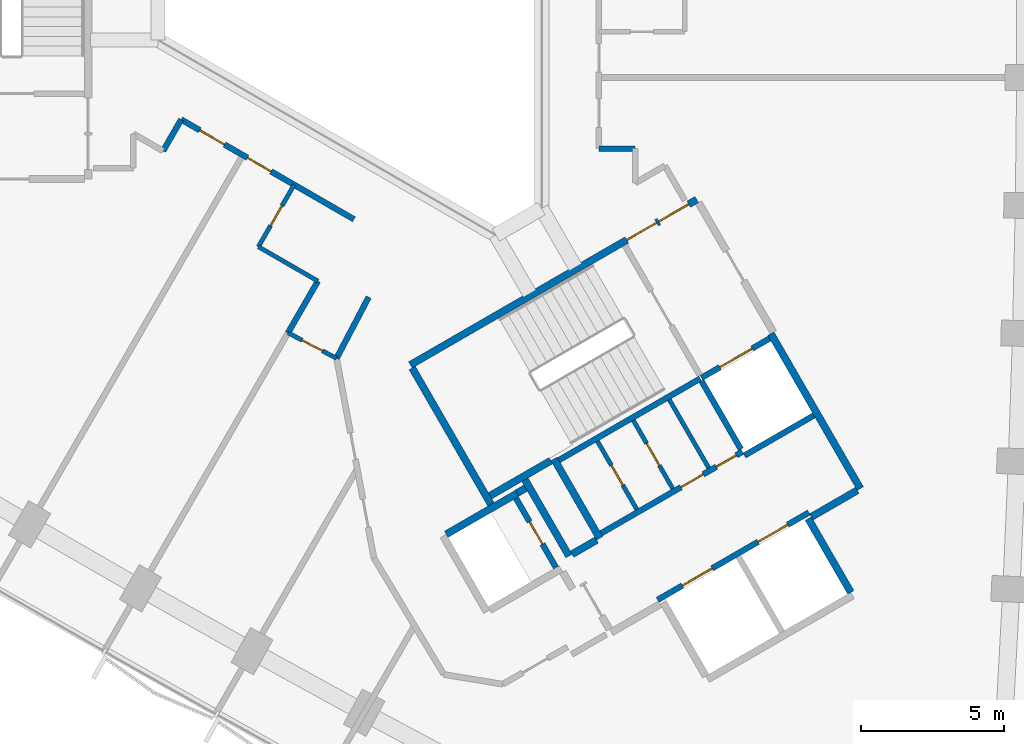
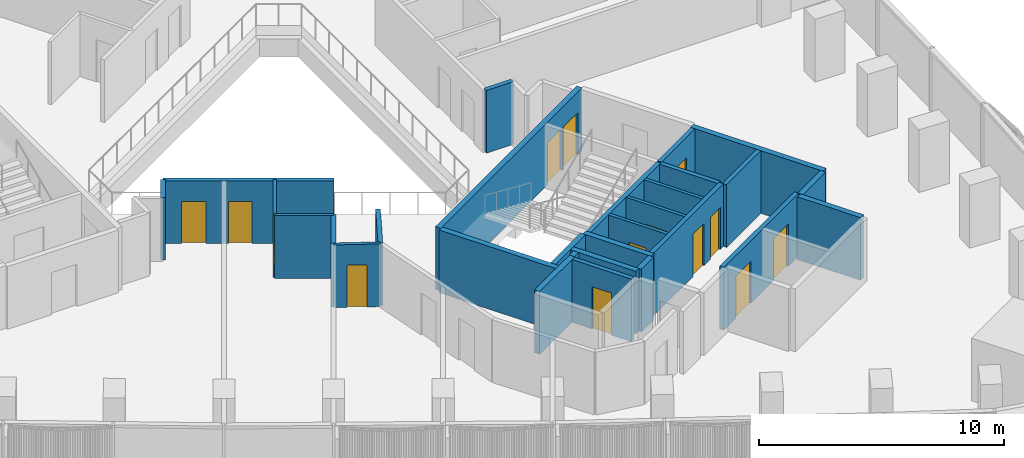
# One storey, part 9 of 15: 29 walls, 14 doors, 14 openings.
"""IFC4 building model written with IfcOpenShell, lengths in metres."""

from ifc_helpers import new_model, si_unit, direction, frame, frame_2d, origin, place, context, subcontext, project, spatial, rectangle, extrude, material, layer, layer_set, type_object, element, fill, save


model = new_model("IFC4")

# Units and contexts
model_context = context("Model", 3, precision=1e-05, world=origin(), true_north=direction((0.0, 1.0)))
body_context = subcontext(model_context, "Body", "Model", "MODEL_VIEW")
ifc_project = project(units=[si_unit("LENGTHUNIT", "METRE"), si_unit("AREAUNIT", "SQUARE_METRE"), si_unit("VOLUMEUNIT", "CUBIC_METRE"), si_unit("PLANEANGLEUNIT", "RADIAN"), si_unit("MASSUNIT", "GRAM", prefix="KILO")], contexts=[model_context])

# Site, building, storey
site_placement = place(None, origin())
site = spatial("IfcSite", under=ifc_project, at=site_placement, CompositionType="ELEMENT")
building_placement = place(site_placement, origin())
building = spatial("IfcBuilding", under=site, at=building_placement, Name="Tamra Quay Hotel Tower", CompositionType="ELEMENT")
storey_placement = place(building_placement, frame((0.0, 0.0, 53.0)))
storey = spatial("IfcBuildingStorey", under=building, at=storey_placement, Name="L11", CompositionType="ELEMENT", Elevation=53.0)

# Wall, openings, doors
ifc_material_1 = material(Name="Concrete M70", Category="concrete")
ifc_layer_1 = layer(ifc_material_1, 0.199951171875)
ifc_layer_set_1 = layer_set([ifc_layer_1], Name="Concrete M70 core wall 200")
wall_type_1 = type_object("IfcWallType", Name="Concrete M70 core wall 200", PredefinedType="SHEAR", material=ifc_layer_set_1)
wall_1_placement = place(storey_placement, frame((9.052490234375, -20.479736328125, 0.0), z_axis=(0.0, 0.0, 1.0), x_axis=(0.866030299012, 0.499991521122, 0.0)))
wall_1 = element("IfcWall", 1, at=wall_1_placement, inside=storey, type_object=wall_type_1, Name="CW2", PredefinedType="SHEAR", context=body_context, shape_type="SweptSolid", body=[
    extrude(rectangle(XDim=6.10009765625, YDim=0.199951171875, at=frame_2d((3.050048828125, 0.0))), origin(), (0.0, 0.0, 1.0), 3.125),
])
opening_1_placement = place(wall_1_placement, frame((1.0, 0.0, 0.0)))
opening_1 = element("IfcOpeningElement", 2, at=opening_1_placement, cuts=wall_1, Name="Opening LD", PredefinedType="OPENING", context=body_context, shape_type="SweptSolid", body=[
    extrude(rectangle(XDim=1.199951171875, YDim=2.10009765625, at=frame_2d((0.60009765625, 1.050048828125))), frame((0.0, 0.10986328125, 0.0), z_axis=(0.0, -1.0, 0.0), x_axis=(1.0, 0.0, 0.0)), (0.0, 0.0, 1.0), 0.219970703125),
])
opening_2_placement = place(wall_1_placement, frame((4.05029296875, 0.0, 0.0)))
opening_2 = element("IfcOpeningElement", 3, at=opening_2_placement, cuts=wall_1, Name="Opening LD", PredefinedType="OPENING", context=body_context, shape_type="SweptSolid", body=[
    extrude(rectangle(XDim=1.199951171875, YDim=2.10009765625, at=frame_2d((0.60009765625, 1.050048828125))), frame((0.0, 0.10986328125, 0.0), z_axis=(0.0, -1.0, 0.0), x_axis=(1.0, 0.0, 0.0)), (0.0, 0.0, 1.0), 0.219970703125),
])
ifc_material_2 = material(Name="Landing door LD 1200 double door sliding")
door_type_1 = type_object("IfcDoorType", Name="Landing door LD 1200 double door sliding", OperationType="DOUBLE_DOOR_SLIDING", PredefinedType="DOOR", material=ifc_material_2)
door_1_placement = place(opening_1_placement, origin())
door_1 = element("IfcDoor", 4, at=door_1_placement, inside=storey, type_object=door_type_1, Name="LD", OperationType="DOUBLE_DOOR_SLIDING", OverallHeight=2.10009765625, OverallWidth=1.199951171875, PredefinedType="DOOR", context=body_context, shape_type="SweptSolid", body=[
    extrude(rectangle(XDim=1.199951171875, YDim=2.10009765625, at=frame_2d((0.60009765625, 1.050048828125))), frame((0.0, 0.02490234375, 0.0), z_axis=(0.0, -1.0, 0.0), x_axis=(1.0, 0.0, 0.0)), (0.0, 0.0, 1.0), 0.050048828125),
])
fill(opening_1, door_1)
door_2_placement = place(opening_2_placement, origin())
door_2 = element("IfcDoor", 5, at=door_2_placement, inside=storey, type_object=door_type_1, Name="LD", OperationType="DOUBLE_DOOR_SLIDING", OverallHeight=2.10009765625, OverallWidth=1.199951171875, PredefinedType="DOOR", context=body_context, shape_type="SweptSolid", body=[
    extrude(rectangle(XDim=1.199951171875, YDim=2.10009765625, at=frame_2d((0.60009765625, 1.050048828125))), frame((0.0, 0.02490234375, 0.0), z_axis=(0.0, -1.0, 0.0), x_axis=(1.0, 0.0, 0.0)), (0.0, 0.0, 1.0), 0.050048828125),
])
fill(opening_2, door_2)

# Wall
wall_2_placement = place(storey_placement, frame((10.537841796875, -12.751953125, 0.0), z_axis=(0.0, 0.0, 1.0), x_axis=(-0.866038630372, -0.499977090179, 0.0)))
element("IfcWall", 6, at=wall_2_placement, inside=storey, type_object=wall_type_1, Name="CW2", PredefinedType="SHEAR", context=body_context, shape_type="SweptSolid", body=[
    extrude(rectangle(XDim=5.698974609375, YDim=0.199951171875, at=frame_2d((2.849609375, 0.0))), origin(), (0.0, 0.0, 1.0), 3.125),
])

# Wall, openings, doors
wall_3_placement = place(storey_placement, frame((7.0771484375, -18.156005859375, 0.0), z_axis=(0.0, 0.0, 1.0), x_axis=(0.866038630372, 0.499977090179, 0.0)))
wall_3 = element("IfcWall", 7, at=wall_3_placement, inside=storey, type_object=wall_type_1, Name="CW2", PredefinedType="SHEAR", context=body_context, shape_type="SweptSolid", body=[
    extrude(rectangle(XDim=5.698974609375, YDim=0.199951171875, at=frame_2d((2.849609375, 0.0))), origin(), (0.0, 0.0, 1.0), 3.125),
])
opening_3_placement = place(wall_3_placement, frame((3.22412109375, 0.0, 0.0)))
opening_3 = element("IfcOpeningElement", 8, at=opening_3_placement, cuts=wall_3, Name="Opening D2", PredefinedType="OPENING", context=body_context, shape_type="SweptSolid", body=[
    extrude(rectangle(XDim=0.89990234375, YDim=2.10009765625, at=frame_2d((0.449951171875, 1.050048828125))), frame((0.0, 0.10986328125, 0.0), z_axis=(0.0, -1.0, 0.0), x_axis=(1.0, 0.0, 0.0)), (0.0, 0.0, 1.0), 0.219970703125),
])
opening_4_placement = place(wall_3_placement, frame((4.64892578125, 0.0, 0.0)))
opening_4 = element("IfcOpeningElement", 9, at=opening_4_placement, cuts=wall_3, Name="Opening D3", PredefinedType="OPENING", context=body_context, shape_type="SweptSolid", body=[
    extrude(rectangle(XDim=0.800048828125, YDim=2.10009765625, at=frame_2d((0.39990234375, 1.050048828125))), frame((0.0, 0.10986328125, 0.0), z_axis=(0.0, -1.0, 0.0), x_axis=(1.0, 0.0, 0.0)), (0.0, 0.0, 1.0), 0.219970703125),
])
ifc_material_3 = material(Name="Core door D2 900x2100 LH")
door_type_2 = type_object("IfcDoorType", Name="Core door D2 900x2100 LH", OperationType="NOTDEFINED", PredefinedType="DOOR", material=ifc_material_3)
door_3_placement = place(opening_3_placement, origin())
door_3 = element("IfcDoor", 10, at=door_3_placement, inside=storey, type_object=door_type_2, Name="D2", OperationType="SINGLE_SWING_LEFT", OverallHeight=2.10009765625, OverallWidth=0.89990234375, PredefinedType="DOOR", context=body_context, shape_type="SweptSolid", body=[
    extrude(rectangle(XDim=0.89990234375, YDim=2.10009765625, at=frame_2d((0.449951171875, 1.050048828125))), frame((0.0, 0.02490234375, 0.0), z_axis=(0.0, -1.0, 0.0), x_axis=(1.0, 0.0, 0.0)), (0.0, 0.0, 1.0), 0.050048828125),
])
fill(opening_3, door_3)
ifc_material_4 = material(Name="Core door D3 800x2100 RH")
door_type_3 = type_object("IfcDoorType", Name="Core door D3 800x2100 RH", OperationType="NOTDEFINED", PredefinedType="DOOR", material=ifc_material_4)
door_4_placement = place(opening_4_placement, origin())
door_4 = element("IfcDoor", 11, at=door_4_placement, inside=storey, type_object=door_type_3, Name="D3", OperationType="SINGLE_SWING_RIGHT", OverallHeight=2.10009765625, OverallWidth=0.800048828125, PredefinedType="DOOR", context=body_context, shape_type="SweptSolid", body=[
    extrude(rectangle(XDim=0.800048828125, YDim=2.10009765625, at=frame_2d((0.39990234375, 1.050048828125))), frame((0.0, 0.02490234375, 0.0), z_axis=(0.0, -1.0, 0.0), x_axis=(1.0, 0.0, 0.0)), (0.0, 0.0, 1.0), 0.050048828125),
])
fill(opening_4, door_4)

# Wall, opening, door
wall_4_placement = place(storey_placement, frame((5.50341796875, -19.352294921875, 0.0), z_axis=(0.0, 0.0, 1.0), x_axis=(-0.499986818241, 0.866033014143, 0.0)))
wall_4 = element("IfcWall", 12, at=wall_4_placement, inside=storey, type_object=wall_type_1, Name="CW2", PredefinedType="SHEAR", context=body_context, shape_type="SweptSolid", body=[
    extrude(rectangle(XDim=2.7978515625, YDim=0.199951171875, at=frame_2d((1.39892578125, 0.0))), origin(), (0.0, 0.0, 1.0), 3.125),
])
opening_5_placement = place(wall_4_placement, frame((0.948974609375, 0.0, 0.0)))
opening_5 = element("IfcOpeningElement", 13, at=opening_5_placement, cuts=wall_4, Name="Opening D1", PredefinedType="OPENING", context=body_context, shape_type="SweptSolid", body=[
    extrude(rectangle(XDim=0.89990234375, YDim=2.10009765625, at=frame_2d((0.449951171875, 1.050048828125))), frame((0.0, 0.10986328125, 0.0), z_axis=(0.0, -1.0, 0.0), x_axis=(1.0, 0.0, 0.0)), (0.0, 0.0, 1.0), 0.219970703125),
])
ifc_material_5 = material(Name="Core door D1 900x2100 LH")
door_type_4 = type_object("IfcDoorType", Name="Core door D1 900x2100 LH", OperationType="NOTDEFINED", PredefinedType="DOOR", material=ifc_material_5)
door_5_placement = place(opening_5_placement, origin())
door_5 = element("IfcDoor", 14, at=door_5_placement, inside=storey, type_object=door_type_4, Name="D1", OperationType="SINGLE_SWING_LEFT", OverallHeight=2.10009765625, OverallWidth=0.89990234375, PredefinedType="DOOR", context=body_context, shape_type="SweptSolid", body=[
    extrude(rectangle(XDim=0.89990234375, YDim=2.10009765625, at=frame_2d((0.449951171875, 1.050048828125))), frame((0.0, 0.02490234375, 0.0), z_axis=(0.0, -1.0, 0.0), x_axis=(1.0, 0.0, 0.0)), (0.0, 0.0, 1.0), 0.050048828125),
])
fill(opening_5, door_5)

# Wall
wall_5_placement = place(storey_placement, frame((11.962646484375, -15.219970703125, 0.0), z_axis=(0.0, 0.0, 1.0), x_axis=(-0.500034990121, 0.866005201286, 0.0)))
element("IfcWall", 15, at=wall_5_placement, inside=storey, type_object=wall_type_1, Name="CW2", PredefinedType="SHEAR", context=body_context, shape_type="SweptSolid", body=[
    extrude(rectangle(XDim=2.749755859375, YDim=0.199951171875, at=frame_2d((1.375, 0.0))), origin(), (0.0, 0.0, 1.0), 3.125),
])

# Wall, opening, door
wall_6_placement = place(storey_placement, frame((10.587158203125, -12.72314453125, 0.0), z_axis=(0.0, 0.0, 1.0), x_axis=(0.866037306777, 0.499979382845, 0.0)))
wall_6 = element("IfcWall", 16, at=wall_6_placement, inside=storey, type_object=wall_type_1, Name="CW2", PredefinedType="SHEAR", context=body_context, shape_type="SweptSolid", body=[
    extrude(rectangle(XDim=2.74169921875, YDim=0.199951171875, at=frame_2d((1.370849609375, 0.0))), origin(), (0.0, 0.0, 1.0), 3.125),
])
opening_6_placement = place(wall_6_placement, frame((0.742919921875, 0.0, 0.0)))
opening_6 = element("IfcOpeningElement", 17, at=opening_6_placement, cuts=wall_6, Name="Opening LD", PredefinedType="OPENING", context=body_context, shape_type="SweptSolid", body=[
    extrude(rectangle(XDim=1.300048828125, YDim=2.10009765625, at=frame_2d((0.64990234375, 1.050048828125))), frame((0.0, 0.10986328125, 0.0), z_axis=(0.0, -1.0, 0.0), x_axis=(1.0, 0.0, 0.0)), (0.0, 0.0, 1.0), 0.219970703125),
])
ifc_material_6 = material(Name="Landing door LD 1300 sliding to right")
door_type_5 = type_object("IfcDoorType", Name="Landing door LD 1300 sliding to right", OperationType="NOTDEFINED", PredefinedType="DOOR", material=ifc_material_6)
door_6_placement = place(opening_6_placement, origin())
door_6 = element("IfcDoor", 18, at=door_6_placement, inside=storey, type_object=door_type_5, Name="LD", OperationType="SLIDING_TO_RIGHT", OverallHeight=2.10009765625, OverallWidth=1.300048828125, PredefinedType="DOOR", context=body_context, shape_type="SweptSolid", body=[
    extrude(rectangle(XDim=1.300048828125, YDim=2.10009765625, at=frame_2d((0.64990234375, 1.050048828125))), frame((0.0, 0.02490234375, 0.0), z_axis=(0.0, -1.0, 0.0), x_axis=(1.0, 0.0, 0.0)), (0.0, 0.0, 1.0), 0.050048828125),
])
fill(opening_6, door_6)

# Wall
wall_7_placement = place(storey_placement, frame((14.51171875, -14.037109375, 0.0), z_axis=(0.0, 0.0, 1.0), x_axis=(-0.866044696403, -0.499966582715, 0.0)))
element("IfcWall", 19, at=wall_7_placement, inside=storey, type_object=wall_type_1, Name="CW2", PredefinedType="SHEAR", context=body_context, shape_type="SweptSolid", body=[
    extrude(rectangle(XDim=2.799072265625, YDim=0.199951171875, at=frame_2d((1.3994140625, 0.0))), origin(), (0.0, 0.0, 1.0), 3.125),
])

# Wall, openings, doors
ifc_layer_2 = layer(ifc_material_1, 0.25)
ifc_layer_set_2 = layer_set([ifc_layer_2], Name="Concrete M70 core wall 250")
wall_type_2 = type_object("IfcWallType", Name="Concrete M70 core wall 250", PredefinedType="SHEAR", material=ifc_layer_set_2)
wall_8_placement = place(storey_placement, frame((0.417236328125, -12.27294921875, 0.0), z_axis=(0.0, 0.0, 1.0), x_axis=(0.866021906294, 0.500006057782, 0.0)))
wall_8 = element("IfcWall", 20, at=wall_8_placement, inside=storey, type_object=wall_type_2, Name="CW1", PredefinedType="SHEAR", context=body_context, shape_type="SweptSolid", body=[
    extrude(rectangle(XDim=11.550048828125, YDim=0.25, at=frame_2d((5.77490234375, 0.0))), origin(), (0.0, 0.0, 1.0), 3.125),
])
opening_7_placement = place(wall_8_placement, frame((10.024658203125, 0.0, 0.0)))
opening_7 = element("IfcOpeningElement", 21, at=opening_7_placement, cuts=wall_8, Name="Opening FD1", PredefinedType="OPENING", context=body_context, shape_type="SweptSolid", body=[
    extrude(rectangle(XDim=1.199951171875, YDim=2.10009765625, at=frame_2d((0.60009765625, 1.050048828125))), frame((0.0, 0.135009765625, 0.0), z_axis=(0.0, -1.0, 0.0), x_axis=(1.0, 0.0, 0.0)), (0.0, 0.0, 1.0), 0.27001953125),
])
opening_8_placement = place(wall_8_placement, frame((8.724609375, 0.0, 0.0)))
opening_8 = element("IfcOpeningElement", 22, at=opening_8_placement, cuts=wall_8, Name="Opening FD1", PredefinedType="OPENING", context=body_context, shape_type="SweptSolid", body=[
    extrude(rectangle(XDim=1.199951171875, YDim=2.10009765625, at=frame_2d((0.60009765625, 1.050048828125))), frame((0.0, 0.135009765625, 0.0), z_axis=(0.0, -1.0, 0.0), x_axis=(1.0, 0.0, 0.0)), (0.0, 0.0, 1.0), 0.27001953125),
])
ifc_material_7 = material(Name="Core door FD1 1200x2100 LH")
door_type_6 = type_object("IfcDoorType", Name="Core door FD1 1200x2100 LH", OperationType="NOTDEFINED", PredefinedType="DOOR", material=ifc_material_7)
door_7_placement = place(opening_7_placement, origin())
door_7 = element("IfcDoor", 23, at=door_7_placement, inside=storey, type_object=door_type_6, Name="FD1", OperationType="SINGLE_SWING_LEFT", OverallHeight=2.10009765625, OverallWidth=1.199951171875, PredefinedType="DOOR", context=body_context, shape_type="SweptSolid", body=[
    extrude(rectangle(XDim=1.199951171875, YDim=2.10009765625, at=frame_2d((0.60009765625, 1.050048828125))), frame((0.0, 0.02490234375, 0.0), z_axis=(0.0, -1.0, 0.0), x_axis=(1.0, 0.0, 0.0)), (0.0, 0.0, 1.0), 0.050048828125),
])
fill(opening_7, door_7)
ifc_material_8 = material(Name="Core door FD1 1200x2100 RH")
door_type_7 = type_object("IfcDoorType", Name="Core door FD1 1200x2100 RH", OperationType="NOTDEFINED", PredefinedType="DOOR", material=ifc_material_8)
door_8_placement = place(opening_8_placement, origin())
door_8 = element("IfcDoor", 24, at=door_8_placement, inside=storey, type_object=door_type_7, Name="FD1", OperationType="SINGLE_SWING_RIGHT", OverallHeight=2.10009765625, OverallWidth=1.199951171875, PredefinedType="DOOR", context=body_context, shape_type="SweptSolid", body=[
    extrude(rectangle(XDim=1.199951171875, YDim=2.10009765625, at=frame_2d((0.60009765625, 1.050048828125))), frame((0.0, 0.02490234375, 0.0), z_axis=(0.0, -1.0, 0.0), x_axis=(1.0, 0.0, 0.0)), (0.0, 0.0, 1.0), 0.050048828125),
])
fill(opening_8, door_8)

# Walls
wall_9_placement = place(storey_placement, frame((13.00830078125, -11.18115234375, 0.0), z_axis=(0.0, 0.0, 1.0), x_axis=(0.500004234368, -0.866022959057, 0.0)))
element("IfcWall", 25, at=wall_9_placement, inside=storey, type_object=wall_type_2, Name="CW1", PredefinedType="SHEAR", context=body_context, shape_type="SweptSolid", body=[
    extrude(rectangle(XDim=6.25, YDim=0.25, at=frame_2d((3.125, 0.0))), origin(), (0.0, 0.0, 1.0), 3.125),
])
wall_10_placement = place(storey_placement, frame((3.23486328125, -17.15283203125, 0.0), z_axis=(0.0, 0.0, 1.0), x_axis=(-0.500008851346, 0.866020293397, 0.0)))
element("IfcWall", 26, at=wall_10_placement, inside=storey, type_object=wall_type_2, Name="CW1", PredefinedType="SHEAR", context=body_context, shape_type="SweptSolid", body=[
    extrude(rectangle(XDim=5.509765625, YDim=0.25, at=frame_2d((2.7548828125, 0.0))), origin(), (0.0, 0.0, 1.0), 3.125),
])
wall_11_placement = place(storey_placement, frame((7.030517578125, -18.327392578125, 0.0), z_axis=(0.0, 0.0, 1.0), x_axis=(-0.499971222258, 0.866042017984, 0.0)))
element("IfcWall", 27, at=wall_11_placement, inside=storey, type_object=wall_type_2, Name="CW1", PredefinedType="SHEAR", context=body_context, shape_type="SweptSolid", body=[
    extrude(rectangle(XDim=3.199951171875, YDim=0.25, at=frame_2d((1.60009765625, 0.0))), origin(), (0.0, 0.0, 1.0), 3.125),
])
wall_12_placement = place(storey_placement, frame((14.314697265625, -17.643798828125, 0.0), z_axis=(0.0, 0.0, 1.0), x_axis=(0.500023226632, -0.866011993467, 0.0)))
element("IfcWall", 28, at=wall_12_placement, inside=storey, type_object=wall_type_2, Name="CW1", PredefinedType="SHEAR", context=body_context, shape_type="SweptSolid", body=[
    extrude(rectangle(XDim=2.974365234375, YDim=0.25, at=frame_2d((1.4873046875, 0.0))), origin(), (0.0, 0.0, 1.0), 3.125),
])
wall_13_placement = place(storey_placement, frame((1.6689453125, -18.189697265625, 0.0), z_axis=(0.0, 0.0, 1.0), x_axis=(0.866042235819, 0.499970844928, 0.0)))
element("IfcWall", 29, at=wall_13_placement, inside=storey, type_object=wall_type_2, Name="CW1", PredefinedType="SHEAR", context=body_context, shape_type="SweptSolid", body=[
    extrude(rectangle(XDim=2.864501953125, YDim=0.25, at=frame_2d((1.43212890625, 0.0))), origin(), (0.0, 0.0, 1.0), 3.125),
])
wall_14_placement = place(storey_placement, frame((4.414306640625, -16.275634765625, 0.0), z_axis=(0.0, 0.0, 1.0), x_axis=(0.500003324108, -0.866023484601, 0.0)))
element("IfcWall", 30, at=wall_14_placement, inside=storey, type_object=wall_type_2, Name="CW1", PredefinedType="SHEAR", context=body_context, shape_type="SweptSolid", body=[
    extrude(rectangle(XDim=3.0849609375, YDim=0.25, at=frame_2d((1.54248046875, 0.0))), origin(), (0.0, 0.0, 1.0), 3.125),
])
wall_15_placement = place(storey_placement, frame((5.322021484375, -15.618896484375, 0.0), z_axis=(0.0, 0.0, 1.0), x_axis=(-0.866026229868, -0.499998569178, 0.0)))
element("IfcWall", 31, at=wall_15_placement, inside=storey, type_object=wall_type_2, Name="CW1", PredefinedType="SHEAR", context=body_context, shape_type="SweptSolid", body=[
    extrude(rectangle(XDim=2.44921875, YDim=0.25, at=frame_2d((1.224609375, 0.0))), origin(), (0.0, 0.0, 1.0), 3.125),
])
wall_16_placement = place(storey_placement, frame((16.024658203125, -16.656494140625, 0.0), z_axis=(0.0, 0.0, 1.0), x_axis=(-0.866016279763, -0.500015802937, 0.0)))
element("IfcWall", 32, at=wall_16_placement, inside=storey, type_object=wall_type_2, Name="CW1", PredefinedType="SHEAR", context=body_context, shape_type="SweptSolid", body=[
    extrude(rectangle(XDim=1.84912109375, YDim=0.25, at=frame_2d((0.924560546875, 0.0))), origin(), (0.0, 0.0, 1.0), 3.125),
])
wall_17_placement = place(storey_placement, frame((6.0654296875, -18.884765625, 0.0), z_axis=(0.0, 0.0, 1.0), x_axis=(0.866017078145, 0.500014420154, 0.0)))
element("IfcWall", 33, at=wall_17_placement, inside=storey, type_object=wall_type_2, Name="CW1", PredefinedType="SHEAR", context=body_context, shape_type="SweptSolid", body=[
    extrude(rectangle(XDim=0.9892578125, YDim=0.25, at=frame_2d((0.49462890625, 0.0))), origin(), (0.0, 0.0, 1.0), 3.125),
])
wall_18_placement = place(storey_placement, frame((4.144775390625, -16.748779296875, 0.0), z_axis=(0.0, 0.0, 1.0), x_axis=(0.866185586049, 0.49972245349, 0.0)))
element("IfcWall", 34, at=wall_18_placement, inside=storey, type_object=wall_type_2, Name="CW1", PredefinedType="SHEAR", context=body_context, shape_type="SweptSolid", body=[
    extrude(rectangle(XDim=0.344482421875, YDim=0.25, at=frame_2d((0.17236328125, 0.0))), origin(), (0.0, 0.0, 1.0), 3.125),
])

# Wall, opening, door
ifc_material_9 = material(Name="Blockwork", Category="masonry")
ifc_layer_3 = layer(ifc_material_9, 0.14990234375)
ifc_layer_set_3 = layer_set([ifc_layer_3], Name="Core partition block 150")
wall_type_3 = type_object("IfcWallType", Name="Core partition block 150", PredefinedType="PARTITIONING", material=ifc_layer_set_3)
wall_19_placement = place(storey_placement, frame((8.20654296875, -14.214111328125, 0.0), z_axis=(0.0, 0.0, 1.0), x_axis=(0.50002746344, -0.86600954718, 0.0)))
wall_19 = element("IfcWall", 35, at=wall_19_placement, inside=storey, type_object=wall_type_3, Name="CP1", PredefinedType="PARTITIONING", context=body_context, shape_type="SweptSolid", body=[
    extrude(rectangle(XDim=2.748291015625, YDim=0.14990234375, at=frame_2d((1.3740234375, 0.0))), origin(), (0.0, 0.0, 1.0), 3.125),
])
opening_9_placement = place(wall_19_placement, frame((0.92431640625, 0.0, 0.0)))
opening_9 = element("IfcOpeningElement", 36, at=opening_9_placement, cuts=wall_19, Name="Opening D2", PredefinedType="OPENING", context=body_context, shape_type="SweptSolid", body=[
    extrude(rectangle(XDim=0.89990234375, YDim=2.10009765625, at=frame_2d((0.449951171875, 1.050048828125))), frame((0.0, 0.0849609375, 0.0), z_axis=(0.0, -1.0, 0.0), x_axis=(1.0, 0.0, 0.0)), (0.0, 0.0, 1.0), 0.169921875),
])
ifc_material_10 = material(Name="Core door D2 900x2100 RH")
door_type_8 = type_object("IfcDoorType", Name="Core door D2 900x2100 RH", OperationType="NOTDEFINED", PredefinedType="DOOR", material=ifc_material_10)
door_9_placement = place(opening_9_placement, origin())
door_9 = element("IfcDoor", 37, at=door_9_placement, inside=storey, type_object=door_type_8, Name="D2", OperationType="SINGLE_SWING_RIGHT", OverallHeight=2.10009765625, OverallWidth=0.89990234375, PredefinedType="DOOR", context=body_context, shape_type="SweptSolid", body=[
    extrude(rectangle(XDim=0.89990234375, YDim=2.10009765625, at=frame_2d((0.449951171875, 1.050048828125))), frame((0.0, 0.02490234375, 0.0), z_axis=(0.0, -1.0, 0.0), x_axis=(1.0, 0.0, 0.0)), (0.0, 0.0, 1.0), 0.050048828125),
])
fill(opening_9, door_9)

# Wall
wall_20_placement = place(storey_placement, frame((9.46240234375, -13.489013671875, 0.0), z_axis=(0.0, 0.0, 1.0), x_axis=(0.499988999718, -0.866031754707, 0.0)))
element("IfcWall", 38, at=wall_20_placement, inside=storey, type_object=wall_type_3, Name="CP1", PredefinedType="PARTITIONING", context=body_context, shape_type="SweptSolid", body=[
    extrude(rectangle(XDim=2.74853515625, YDim=0.14990234375, at=frame_2d((1.374267578125, 0.0))), origin(), (0.0, 0.0, 1.0), 3.125),
])

# Wall, opening, door
wall_21_placement = place(storey_placement, frame((6.950927734375, -14.93896484375, 0.0), z_axis=(0.0, 0.0, 1.0), x_axis=(0.499988999718, -0.866031754707, 0.0)))
wall_21 = element("IfcWall", 39, at=wall_21_placement, inside=storey, type_object=wall_type_3, Name="CP1", PredefinedType="PARTITIONING", context=body_context, shape_type="SweptSolid", body=[
    extrude(rectangle(XDim=2.74853515625, YDim=0.14990234375, at=frame_2d((1.374267578125, 0.0))), origin(), (0.0, 0.0, 1.0), 3.125),
])
opening_10_placement = place(wall_21_placement, frame((0.97412109375, 0.0, 0.0)))
opening_10 = element("IfcOpeningElement", 40, at=opening_10_placement, cuts=wall_21, Name="Opening D3", PredefinedType="OPENING", context=body_context, shape_type="SweptSolid", body=[
    extrude(rectangle(XDim=0.800048828125, YDim=2.10009765625, at=frame_2d((0.39990234375, 1.050048828125))), frame((0.0, 0.0849609375, 0.0), z_axis=(0.0, -1.0, 0.0), x_axis=(1.0, 0.0, 0.0)), (0.0, 0.0, 1.0), 0.169921875),
])
ifc_material_11 = material(Name="Core door D3 800x2100 LH")
door_type_9 = type_object("IfcDoorType", Name="Core door D3 800x2100 LH", OperationType="NOTDEFINED", PredefinedType="DOOR", material=ifc_material_11)
door_10_placement = place(opening_10_placement, origin())
door_10 = element("IfcDoor", 41, at=door_10_placement, inside=storey, type_object=door_type_9, Name="D3", OperationType="SINGLE_SWING_LEFT", OverallHeight=2.10009765625, OverallWidth=0.800048828125, PredefinedType="DOOR", context=body_context, shape_type="SweptSolid", body=[
    extrude(rectangle(XDim=0.800048828125, YDim=2.10009765625, at=frame_2d((0.39990234375, 1.050048828125))), frame((0.0, 0.02490234375, 0.0), z_axis=(0.0, -1.0, 0.0), x_axis=(1.0, 0.0, 0.0)), (0.0, 0.0, 1.0), 0.050048828125),
])
fill(opening_10, door_10)

# Wall
ifc_material_12 = material(Name="Partition corridor wall")
ifc_layer_4 = layer(ifc_material_12, 0.199951171875)
ifc_layer_set_4 = layer_set([ifc_layer_4], Name="Partition corridor wall")
wall_type_4 = type_object("IfcWallType", Name="Partition corridor wall", PredefinedType="PARTITIONING", material=ifc_layer_set_4)
wall_22_placement = place(storey_placement, frame((-8.222900390625, -4.800048828125, 0.0), z_axis=(0.0, 0.0, 1.0), x_axis=(0.499866914522, 0.866102227088, 0.0)))
element("IfcWall", 42, at=wall_22_placement, inside=storey, type_object=wall_type_4, Name="W-C", PredefinedType="PARTITIONING", context=body_context, shape_type="SweptSolid", body=[
    extrude(rectangle(XDim=1.267822265625, YDim=0.199951171875, at=frame_2d((0.6337890625, 0.0))), origin(), (0.0, 0.0, 1.0), 3.125),
])

# Wall, openings, doors
wall_23_placement = place(storey_placement, frame((-7.589111328125, -3.701904296875, 0.0), z_axis=(0.0, 0.0, 1.0), x_axis=(0.865994210678, -0.500054024153, 0.0)))
wall_23 = element("IfcWall", 43, at=wall_23_placement, inside=storey, type_object=wall_type_4, Name="W-C", PredefinedType="PARTITIONING", context=body_context, shape_type="SweptSolid", body=[
    extrude(rectangle(XDim=6.968505859375, YDim=0.199951171875, at=frame_2d((3.484375, 0.0))), origin(), (0.0, 0.0, 1.0), 3.125),
])
opening_11_placement = place(wall_23_placement, frame((0.748779296875, 0.0, 0.0)))
opening_11 = element("IfcOpeningElement", 44, at=opening_11_placement, cuts=wall_23, Name="Opening L11-D012", PredefinedType="OPENING", context=body_context, shape_type="SweptSolid", body=[
    extrude(rectangle(XDim=1.0, YDim=2.10009765625, at=frame_2d((0.5, 1.050048828125))), frame((0.0, 0.10986328125, 0.0), z_axis=(0.0, -1.0, 0.0), x_axis=(1.0, 0.0, 0.0)), (0.0, 0.0, 1.0), 0.219970703125),
])
opening_12_placement = place(wall_23_placement, frame((2.67431640625, 0.0, 0.0)))
opening_12 = element("IfcOpeningElement", 45, at=opening_12_placement, cuts=wall_23, Name="Opening L11-D013", PredefinedType="OPENING", context=body_context, shape_type="SweptSolid", body=[
    extrude(rectangle(XDim=0.949951171875, YDim=2.10009765625, at=frame_2d((0.47509765625, 1.050048828125))), frame((0.0, 0.10986328125, 0.0), z_axis=(0.0, -1.0, 0.0), x_axis=(1.0, 0.0, 0.0)), (0.0, 0.0, 1.0), 0.219970703125),
])
ifc_material_13 = material(Name="Door guest room 1000x2100")
door_type_10 = type_object("IfcDoorType", Name="Door guest room 1000x2100", OperationType="NOTDEFINED", PredefinedType="DOOR", material=ifc_material_13)
door_11_placement = place(opening_11_placement, frame((1.0, 0.0, 0.0), z_axis=(0.0, 0.0, 1.0), x_axis=(-1.0, 0.0, 0.0)))
door_11 = element("IfcDoor", 46, at=door_11_placement, inside=storey, type_object=door_type_10, Name="L11-D012", OperationType="SINGLE_SWING_LEFT", OverallHeight=2.10009765625, OverallWidth=1.0, PredefinedType="DOOR", context=body_context, shape_type="SweptSolid", body=[
    extrude(rectangle(XDim=1.0, YDim=2.10009765625, at=frame_2d((0.5, 1.050048828125))), frame((0.0, 0.02490234375, 0.0), z_axis=(0.0, -1.0, 0.0), x_axis=(1.0, 0.0, 0.0)), (0.0, 0.0, 1.0), 0.050048828125),
])
fill(opening_11, door_11)
ifc_material_14 = material(Name="Door guest room 950x2100")
door_type_11 = type_object("IfcDoorType", Name="Door guest room 950x2100", OperationType="NOTDEFINED", PredefinedType="DOOR", material=ifc_material_14)
door_12_placement = place(opening_12_placement, frame((0.949951171875, 0.0, 0.0), z_axis=(0.0, 0.0, 1.0), x_axis=(-1.0, 0.0, 0.0)))
door_12 = element("IfcDoor", 47, at=door_12_placement, inside=storey, type_object=door_type_11, Name="L11-D013", OperationType="SINGLE_SWING_LEFT", OverallHeight=2.10009765625, OverallWidth=0.949951171875, PredefinedType="DOOR", context=body_context, shape_type="SweptSolid", body=[
    extrude(rectangle(XDim=0.949951171875, YDim=2.10009765625, at=frame_2d((0.47509765625, 1.050048828125))), frame((0.0, 0.02490234375, 0.0), z_axis=(0.0, -1.0, 0.0), x_axis=(1.0, 0.0, 0.0)), (0.0, 0.0, 1.0), 0.050048828125),
])
fill(opening_12, door_12)

# Walls
wall_24_placement = place(storey_placement, frame((-2.162109375, -12.041015625, 0.0), z_axis=(0.0, 0.0, 1.0), x_axis=(0.464903343334, 0.885361441083, 0.0)))
element("IfcWall", 48, at=wall_24_placement, inside=storey, type_object=wall_type_4, Name="W-C", PredefinedType="PARTITIONING", context=body_context, shape_type="SweptSolid", body=[
    extrude(rectangle(XDim=2.411376953125, YDim=0.199951171875, at=frame_2d((1.20556640625, 0.0))), origin(), (0.0, 0.0, 1.0), 3.125),
])
wall_25_placement = place(storey_placement, frame((7.0, -4.720947265625, 0.0), z_axis=(0.0, 0.0, 1.0), x_axis=(1.0, 0.0, 0.0)))
element("IfcWall", 49, at=wall_25_placement, inside=storey, type_object=wall_type_4, Name="W-C", PredefinedType="PARTITIONING", context=body_context, shape_type="SweptSolid", body=[
    extrude(rectangle(XDim=1.26806640625, YDim=0.199951171875, at=frame_2d((0.634033203125, 0.0))), origin(), (0.0, 0.0, 1.0), 3.125),
])

# Wall, opening, door
ifc_material_15 = material(Name="Partition en-suite wall")
ifc_layer_5 = layer(ifc_material_15, 0.14990234375)
ifc_layer_set_5 = layer_set([ifc_layer_5], Name="Partition en-suite wall")
wall_type_5 = type_object("IfcWallType", Name="Partition en-suite wall", PredefinedType="PARTITIONING", material=ifc_layer_set_5)
wall_26_placement = place(storey_placement, frame((-4.89208984375, -8.14501953125, 0.0), z_axis=(0.0, 0.0, 1.0), x_axis=(0.499711178953, 0.866192090491, 0.0)))
wall_26 = element("IfcWall", 50, at=wall_26_placement, inside=storey, type_object=wall_type_5, Name="W-E", PredefinedType="PARTITIONING", context=body_context, shape_type="SweptSolid", body=[
    extrude(rectangle(XDim=2.49951171875, YDim=0.14990234375, at=frame_2d((1.249755859375, 0.0))), origin(), (0.0, 0.0, 1.0), 3.125),
])
opening_13_placement = place(wall_26_placement, frame((0.849609375, 0.0, 0.0)))
opening_13 = element("IfcOpeningElement", 51, at=opening_13_placement, cuts=wall_26, Name="Opening L11-D014", PredefinedType="OPENING", context=body_context, shape_type="SweptSolid", body=[
    extrude(rectangle(XDim=0.800048828125, YDim=2.10009765625, at=frame_2d((0.39990234375, 1.050048828125))), frame((0.0, 0.0849609375, 0.0), z_axis=(0.0, -1.0, 0.0), x_axis=(1.0, 0.0, 0.0)), (0.0, 0.0, 1.0), 0.169921875),
])
ifc_material_16 = material(Name="Door en-suite 800x2100")
door_type_12 = type_object("IfcDoorType", Name="Door en-suite 800x2100", OperationType="NOTDEFINED", PredefinedType="DOOR", material=ifc_material_16)
door_13_placement = place(opening_13_placement, frame((0.800048828125, 0.0, 0.0), z_axis=(0.0, 0.0, 1.0), x_axis=(-1.0, 0.0, 0.0)))
door_13 = element("IfcDoor", 52, at=door_13_placement, inside=storey, type_object=door_type_12, Name="L11-D014", OperationType="SINGLE_SWING_LEFT", OverallHeight=2.10009765625, OverallWidth=0.800048828125, PredefinedType="DOOR", context=body_context, shape_type="SweptSolid", body=[
    extrude(rectangle(XDim=0.800048828125, YDim=2.10009765625, at=frame_2d((0.39990234375, 1.050048828125))), frame((0.0, 0.02490234375, 0.0), z_axis=(0.0, -1.0, 0.0), x_axis=(1.0, 0.0, 0.0)), (0.0, 0.0, 1.0), 0.050048828125),
])
fill(opening_13, door_13)

# Wall
wall_27_placement = place(storey_placement, frame((-4.89208984375, -8.14501953125, 0.0), z_axis=(0.0, 0.0, 1.0), x_axis=(0.865999212041, -0.500045362686, 0.0)))
element("IfcWall", 53, at=wall_27_placement, inside=storey, type_object=wall_type_5, Name="W-E", PredefinedType="PARTITIONING", context=body_context, shape_type="SweptSolid", body=[
    extrude(rectangle(XDim=2.399658203125, YDim=0.14990234375, at=frame_2d((1.19970703125, 0.0))), origin(), (0.0, 0.0, 1.0), 3.125),
])

# Wall, opening, door
wall_28_placement = place(storey_placement, frame((-3.85693359375, -11.152099609375, 0.0), z_axis=(0.0, 0.0, 1.0), x_axis=(0.885374281086, -0.464878890026, 0.0)))
wall_28 = element("IfcWall", 54, at=wall_28_placement, inside=storey, type_object=wall_type_5, Name="W-E", PredefinedType="PARTITIONING", context=body_context, shape_type="SweptSolid", body=[
    extrude(rectangle(XDim=1.914306640625, YDim=0.14990234375, at=frame_2d((0.95703125, 0.0))), origin(), (0.0, 0.0, 1.0), 3.125),
])
opening_14_placement = place(wall_28_placement, frame((0.55712890625, 0.0, 0.0)))
opening_14 = element("IfcOpeningElement", 55, at=opening_14_placement, cuts=wall_28, Name="Opening L11-D016", PredefinedType="OPENING", context=body_context, shape_type="SweptSolid", body=[
    extrude(rectangle(XDim=0.800048828125, YDim=2.10009765625, at=frame_2d((0.39990234375, 1.050048828125))), frame((0.0, 0.0849609375, 0.0), z_axis=(0.0, -1.0, 0.0), x_axis=(1.0, 0.0, 0.0)), (0.0, 0.0, 1.0), 0.169921875),
])
door_14_placement = place(opening_14_placement, frame((0.800048828125, 0.0, 0.0), z_axis=(0.0, 0.0, 1.0), x_axis=(-1.0, 0.0, 0.0)))
door_14 = element("IfcDoor", 56, at=door_14_placement, inside=storey, type_object=door_type_12, Name="L11-D016", OperationType="SINGLE_SWING_LEFT", OverallHeight=2.10009765625, OverallWidth=0.800048828125, PredefinedType="DOOR", context=body_context, shape_type="SweptSolid", body=[
    extrude(rectangle(XDim=0.800048828125, YDim=2.10009765625, at=frame_2d((0.39990234375, 1.050048828125))), frame((0.0, 0.02490234375, 0.0), z_axis=(0.0, -1.0, 0.0), x_axis=(1.0, 0.0, 0.0)), (0.0, 0.0, 1.0), 0.050048828125),
])
fill(opening_14, door_14)

# Wall
ifc_material_17 = material(Name="Partition party wall")
ifc_layer_6 = layer(ifc_material_17, 0.199951171875)
ifc_layer_set_6 = layer_set([ifc_layer_6], Name="Partition party wall")
wall_type_6 = type_object("IfcWallType", Name="Partition party wall", PredefinedType="PARTITIONING", material=ifc_layer_set_6)
wall_29_placement = place(storey_placement, frame((-3.863037109375, -11.1630859375, 0.0), z_axis=(0.0, 0.0, 1.0), x_axis=(0.499779509621, 0.866152666545, 0.0)))
element("IfcWall", 57, at=wall_29_placement, inside=storey, type_object=wall_type_6, Name="W-P", PredefinedType="PARTITIONING", context=body_context, shape_type="SweptSolid", body=[
    extrude(rectangle(XDim=2.09912109375, YDim=0.199951171875, at=frame_2d((1.049560546875, 0.0))), origin(), (0.0, 0.0, 1.0), 3.125),
])

save(model, "model.ifc")
